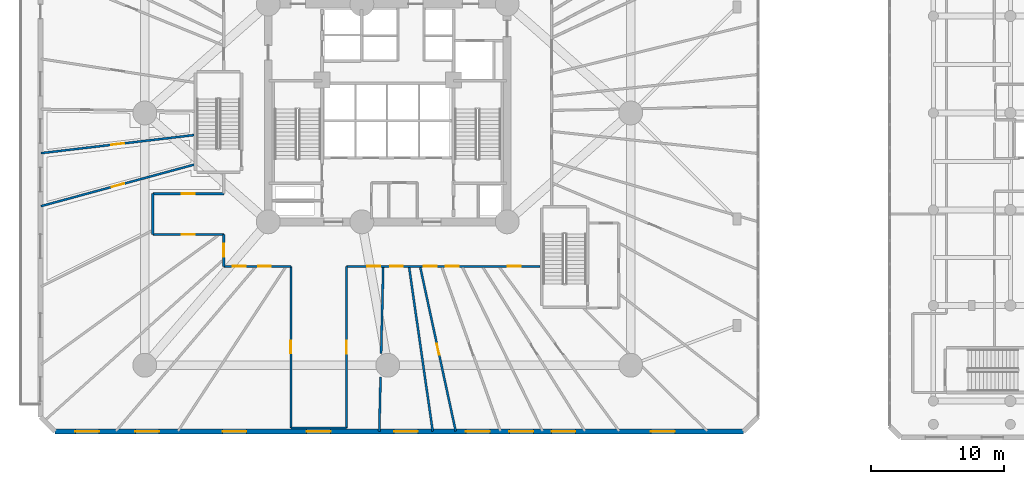
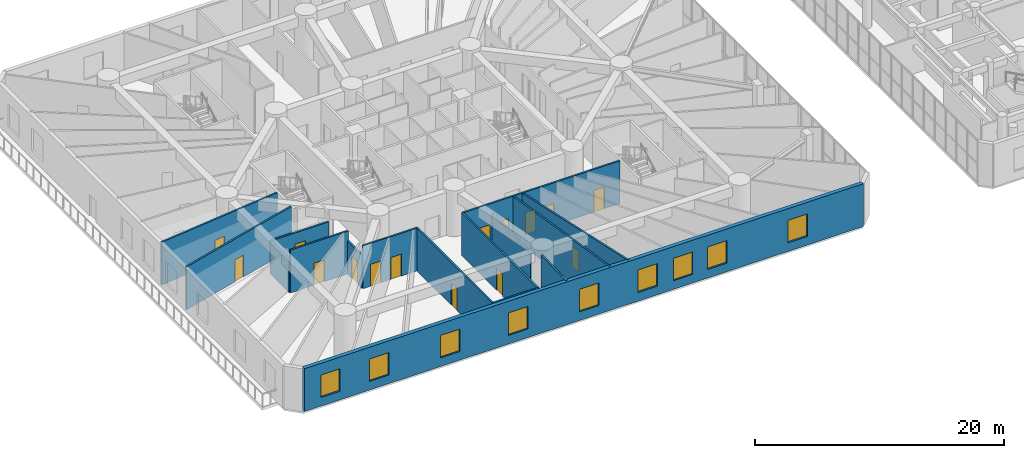
# One storey, part 13 of 26: 16 walls, 15 doors, 9 windows, 24 openings.
"""IFC4 building model written with IfcOpenShell, lengths in metres."""

from ifc_helpers import new_model, si_unit, direction, frame, frame_2d, origin, origin_with_axes, place, context, subcontext, project, spatial, rectangle, extrude, source, transform, mapped, material, layer, layer_set, type_object, element, fill, save


model = new_model("IFC4")

# Units and contexts
model_context = context("Model", 3, precision=1e-05, world=origin(), true_north=direction((0.0, 1.0)))
body_context = subcontext(model_context, "Body", "Model", "MODEL_VIEW")
ifc_project = project(units=[si_unit("LENGTHUNIT", "METRE"), si_unit("AREAUNIT", "SQUARE_METRE"), si_unit("VOLUMEUNIT", "CUBIC_METRE"), si_unit("PLANEANGLEUNIT", "RADIAN"), si_unit("MASSUNIT", "GRAM", prefix="KILO")], contexts=[model_context])

# Site, building, storey
site_placement = place(None, origin())
site = spatial("IfcSite", under=ifc_project, at=site_placement, CompositionType="ELEMENT")
building_placement = place(site_placement, origin())
building = spatial("IfcBuilding", under=site, at=building_placement, Name="Karkom Vertical University and Central Library", CompositionType="ELEMENT")
storey_placement = place(building_placement, frame((0.0, 0.0, 4.5)))
storey = spatial("IfcBuildingStorey", under=building, at=storey_placement, Name="L01", CompositionType="ELEMENT", Elevation=4.5)

# Wall, openings, windows
ifc_material_1 = material(Name="Brick masonry 360mm insulated cavity", Category="masonry")
ifc_layer_1 = layer(ifc_material_1, 0.360107421875)
ifc_layer_set_1 = layer_set([ifc_layer_1], Name="Brick masonry 360mm insulated cavity")
wall_type_1 = type_object("IfcWallType", Name="ENV-WL-BRK-360", PredefinedType="SOLIDWALL", material=ifc_layer_set_1)
wall_1_placement = place(storey_placement, frame((3.449951171875, 2.5, 0.0), z_axis=(0.0, 0.0, 1.0), x_axis=(1.0, 0.0, 0.0)))
wall_1 = element("IfcWall", 1, at=wall_1_placement, inside=storey, type_object=wall_type_1, Name="Level 01 POD Terracotta Brick Facade Wall 01", PredefinedType="SOLIDWALL", context=body_context, shape_type="SweptSolid", body=[
    extrude(rectangle(XDim=51.85009765625, YDim=0.360107421875, at=frame_2d((25.925048828125, 0.0))), origin(), (0.0, 0.0, 1.0), 4.199951171875),
])
opening_1_placement = place(wall_1_placement, frame((1.51611328125, 0.0, 0.85009765625)))
opening_1 = element("IfcOpeningElement", 2, at=opening_1_placement, cuts=wall_1, Name="Opening WN-01", PredefinedType="OPENING", context=body_context, shape_type="SweptSolid", body=[
    extrude(rectangle(XDim=1.800048828125, YDim=2.199951171875, at=frame_2d((0.89990234375, 1.10009765625))), frame((0.0, 0.18994140625, 0.0), z_axis=(0.0, -1.0, 0.0), x_axis=(1.0, 0.0, 0.0)), (0.0, 0.0, 1.0), 0.380126953125),
])
opening_2_placement = place(wall_1_placement, frame((6.037353515625, 0.0, 0.85009765625)))
opening_2 = element("IfcOpeningElement", 3, at=opening_2_placement, cuts=wall_1, Name="Opening WN-01", PredefinedType="OPENING", context=body_context, shape_type="SweptSolid", body=[
    extrude(rectangle(XDim=1.800048828125, YDim=2.199951171875, at=frame_2d((0.89990234375, 1.10009765625))), frame((0.0, 0.18994140625, 0.0), z_axis=(0.0, -1.0, 0.0), x_axis=(1.0, 0.0, 0.0)), (0.0, 0.0, 1.0), 0.380126953125),
])
opening_3_placement = place(wall_1_placement, frame((12.611328125, 0.0, 0.85009765625)))
opening_3 = element("IfcOpeningElement", 4, at=opening_3_placement, cuts=wall_1, Name="Opening WN-01", PredefinedType="OPENING", context=body_context, shape_type="SweptSolid", body=[
    extrude(rectangle(XDim=1.800048828125, YDim=2.199951171875, at=frame_2d((0.89990234375, 1.10009765625))), frame((0.0, 0.18994140625, 0.0), z_axis=(0.0, -1.0, 0.0), x_axis=(1.0, 0.0, 0.0)), (0.0, 0.0, 1.0), 0.380126953125),
])
opening_4_placement = place(wall_1_placement, frame((18.949951171875, 0.0, 0.85009765625)))
opening_4 = element("IfcOpeningElement", 5, at=opening_4_placement, cuts=wall_1, Name="Opening WN-01", PredefinedType="OPENING", context=body_context, shape_type="SweptSolid", body=[
    extrude(rectangle(XDim=1.800048828125, YDim=2.199951171875, at=frame_2d((0.89990234375, 1.10009765625))), frame((0.0, 0.18994140625, 0.0), z_axis=(0.0, -1.0, 0.0), x_axis=(1.0, 0.0, 0.0)), (0.0, 0.0, 1.0), 0.380126953125),
])
opening_5_placement = place(wall_1_placement, frame((25.523193359375, 0.0, 0.85009765625)))
opening_5 = element("IfcOpeningElement", 6, at=opening_5_placement, cuts=wall_1, Name="Opening WN-01", PredefinedType="OPENING", context=body_context, shape_type="SweptSolid", body=[
    extrude(rectangle(XDim=1.800048828125, YDim=2.199951171875, at=frame_2d((0.89990234375, 1.10009765625))), frame((0.0, 0.18994140625, 0.0), z_axis=(0.0, -1.0, 0.0), x_axis=(1.0, 0.0, 0.0)), (0.0, 0.0, 1.0), 0.380126953125),
])
opening_6_placement = place(wall_1_placement, frame((30.9453125, 0.0, 0.85009765625)))
opening_6 = element("IfcOpeningElement", 7, at=opening_6_placement, cuts=wall_1, Name="Opening WN-01", PredefinedType="OPENING", context=body_context, shape_type="SweptSolid", body=[
    extrude(rectangle(XDim=1.800048828125, YDim=2.199951171875, at=frame_2d((0.89990234375, 1.10009765625))), frame((0.0, 0.18994140625, 0.0), z_axis=(0.0, -1.0, 0.0), x_axis=(1.0, 0.0, 0.0)), (0.0, 0.0, 1.0), 0.380126953125),
])
opening_7_placement = place(wall_1_placement, frame((34.214111328125, 0.0, 0.85009765625)))
opening_7 = element("IfcOpeningElement", 8, at=opening_7_placement, cuts=wall_1, Name="Opening WN-01", PredefinedType="OPENING", context=body_context, shape_type="SweptSolid", body=[
    extrude(rectangle(XDim=1.800048828125, YDim=2.199951171875, at=frame_2d((0.89990234375, 1.10009765625))), frame((0.0, 0.18994140625, 0.0), z_axis=(0.0, -1.0, 0.0), x_axis=(1.0, 0.0, 0.0)), (0.0, 0.0, 1.0), 0.380126953125),
])
opening_8_placement = place(wall_1_placement, frame((37.393798828125, 0.0, 0.85009765625)))
opening_8 = element("IfcOpeningElement", 9, at=opening_8_placement, cuts=wall_1, Name="Opening WN-01", PredefinedType="OPENING", context=body_context, shape_type="SweptSolid", body=[
    extrude(rectangle(XDim=1.800048828125, YDim=2.199951171875, at=frame_2d((0.89990234375, 1.10009765625))), frame((0.0, 0.18994140625, 0.0), z_axis=(0.0, -1.0, 0.0), x_axis=(1.0, 0.0, 0.0)), (0.0, 0.0, 1.0), 0.380126953125),
])
opening_9_placement = place(wall_1_placement, frame((44.87060546875, 0.0, 0.85009765625)))
opening_9 = element("IfcOpeningElement", 10, at=opening_9_placement, cuts=wall_1, Name="Opening WN-01", PredefinedType="OPENING", context=body_context, shape_type="SweptSolid", body=[
    extrude(rectangle(XDim=1.800048828125, YDim=2.199951171875, at=frame_2d((0.89990234375, 1.10009765625))), frame((0.0, 0.18994140625, 0.0), z_axis=(0.0, -1.0, 0.0), x_axis=(1.0, 0.0, 0.0)), (0.0, 0.0, 1.0), 0.380126953125),
])
ifc_material_2 = material(Name="Aluminium thermal-break frame with solar-control IGU", Category="aluminium")
window_type = type_object("IfcWindowType", Name="ENV-WIN-WN-01", PartitioningType="SINGLE_PANEL", PredefinedType="WINDOW", material=ifc_material_2)
shared_shape_1 = source(origin_with_axes(), body_context, "Body", "SweptSolid", [
    extrude(rectangle(XDim=1.800048828125, YDim=2.199951171875, at=frame_2d((0.89990234375, 1.10009765625))), frame((0.0, 0.030029296875, 0.0), z_axis=(0.0, -1.0, 0.0), x_axis=(1.0, 0.0, 0.0)), (0.0, 0.0, 1.0), 0.06005859375),
])
window_1_placement = place(opening_1_placement, origin())
window_1 = element("IfcWindow", 11, at=window_1_placement, inside=storey, type_object=window_type, Name="Level 01 POD Punched Window 01", OverallHeight=2.199951171875, OverallWidth=1.800048828125, PartitioningType="SINGLE_PANEL", PredefinedType="WINDOW", context=body_context, shape_type="MappedRepresentation", body=[
    mapped(shared_shape_1, transform((0.0, 0.0, 0.0), scale=1.0)),
])
fill(opening_1, window_1)
window_2_placement = place(opening_2_placement, origin())
window_2 = element("IfcWindow", 12, at=window_2_placement, inside=storey, type_object=window_type, Name="Level 01 POD Punched Window 02", OverallHeight=2.199951171875, OverallWidth=1.800048828125, PartitioningType="SINGLE_PANEL", PredefinedType="WINDOW", context=body_context, shape_type="MappedRepresentation", body=[
    mapped(shared_shape_1, transform((0.0, 0.0, 0.0), scale=1.0)),
])
fill(opening_2, window_2)
window_3_placement = place(opening_3_placement, origin())
window_3 = element("IfcWindow", 13, at=window_3_placement, inside=storey, type_object=window_type, Name="Level 01 POD Punched Window 03", OverallHeight=2.199951171875, OverallWidth=1.800048828125, PartitioningType="SINGLE_PANEL", PredefinedType="WINDOW", context=body_context, shape_type="MappedRepresentation", body=[
    mapped(shared_shape_1, transform((0.0, 0.0, 0.0), scale=1.0)),
])
fill(opening_3, window_3)
window_4_placement = place(opening_4_placement, origin())
window_4 = element("IfcWindow", 14, at=window_4_placement, inside=storey, type_object=window_type, Name="Level 01 POD Punched Window 04", OverallHeight=2.199951171875, OverallWidth=1.800048828125, PartitioningType="SINGLE_PANEL", PredefinedType="WINDOW", context=body_context, shape_type="MappedRepresentation", body=[
    mapped(shared_shape_1, transform((0.0, 0.0, 0.0), scale=1.0)),
])
fill(opening_4, window_4)
window_5_placement = place(opening_5_placement, origin())
window_5 = element("IfcWindow", 15, at=window_5_placement, inside=storey, type_object=window_type, Name="Level 01 POD Punched Window 05", OverallHeight=2.199951171875, OverallWidth=1.800048828125, PartitioningType="SINGLE_PANEL", PredefinedType="WINDOW", context=body_context, shape_type="MappedRepresentation", body=[
    mapped(shared_shape_1, transform((0.0, 0.0, 0.0), scale=1.0)),
])
fill(opening_5, window_5)
window_6_placement = place(opening_6_placement, origin())
window_6 = element("IfcWindow", 16, at=window_6_placement, inside=storey, type_object=window_type, Name="Level 01 POD Punched Window 06", OverallHeight=2.199951171875, OverallWidth=1.800048828125, PartitioningType="SINGLE_PANEL", PredefinedType="WINDOW", context=body_context, shape_type="MappedRepresentation", body=[
    mapped(shared_shape_1, transform((0.0, 0.0, 0.0), scale=1.0)),
])
fill(opening_6, window_6)
window_7_placement = place(opening_7_placement, origin())
window_7 = element("IfcWindow", 17, at=window_7_placement, inside=storey, type_object=window_type, Name="Level 01 POD Punched Window 07", OverallHeight=2.199951171875, OverallWidth=1.800048828125, PartitioningType="SINGLE_PANEL", PredefinedType="WINDOW", context=body_context, shape_type="MappedRepresentation", body=[
    mapped(shared_shape_1, transform((0.0, 0.0, 0.0), scale=1.0)),
])
fill(opening_7, window_7)
window_8_placement = place(opening_8_placement, origin())
window_8 = element("IfcWindow", 18, at=window_8_placement, inside=storey, type_object=window_type, Name="Level 01 POD Punched Window 08", OverallHeight=2.199951171875, OverallWidth=1.800048828125, PartitioningType="SINGLE_PANEL", PredefinedType="WINDOW", context=body_context, shape_type="MappedRepresentation", body=[
    mapped(shared_shape_1, transform((0.0, 0.0, 0.0), scale=1.0)),
])
fill(opening_8, window_8)
window_9_placement = place(opening_9_placement, origin())
window_9 = element("IfcWindow", 19, at=window_9_placement, inside=storey, type_object=window_type, Name="Level 01 POD Punched Window 09", OverallHeight=2.199951171875, OverallWidth=1.800048828125, PartitioningType="SINGLE_PANEL", PredefinedType="WINDOW", context=body_context, shape_type="MappedRepresentation", body=[
    mapped(shared_shape_1, transform((0.0, 0.0, 0.0), scale=1.0)),
])
fill(opening_9, window_9)

# Wall, openings, doors
ifc_material_3 = material(Name="Insulated metal-stud drywall 160mm", Category="gypsum")
ifc_layer_2 = layer(ifc_material_3, 0.159912109375)
ifc_layer_set_2 = layer_set([ifc_layer_2], Name="Insulated metal-stud drywall 160mm")
wall_type_2 = type_object("IfcWallType", Name="INT-WL-COR-160", PredefinedType="PARTITIONING", material=ifc_layer_set_2)
wall_2_placement = place(storey_placement, frame((39.988037109375, 14.949951171875, 0.0), z_axis=(0.0, 0.0, 1.0), x_axis=(-1.0, 0.0, 0.0)))
wall_2 = element("IfcWall", 20, at=wall_2_placement, inside=storey, type_object=wall_type_2, Name="Level 01 Interior Partition Wall Level 01-PDCW-CW-010", PredefinedType="PARTITIONING", context=body_context, shape_type="SweptSolid", body=[
    extrude(rectangle(XDim=14.588134765625, YDim=0.159912109375, at=frame_2d((7.2939453125, 0.0))), origin(), (0.0, 0.0, 1.0), 4.199951171875),
])
opening_10_placement = place(wall_2_placement, frame((10.340087890625, 0.0, 0.0)))
opening_10 = element("IfcOpeningElement", 21, at=opening_10_placement, cuts=wall_2, Name="Opening FD-RM2", PredefinedType="OPENING", context=body_context, shape_type="SweptSolid", body=[
    extrude(rectangle(XDim=0.9599609375, YDim=2.14990234375, at=frame_2d((0.47998046875, 1.074951171875))), frame((0.0, 0.08984375, 0.0), z_axis=(0.0, -1.0, 0.0), x_axis=(1.0, 0.0, 0.0)), (0.0, 0.0, 1.0), 0.179931640625),
])
opening_11_placement = place(wall_2_placement, frame((7.80810546875, 0.0, 0.0)))
opening_11 = element("IfcOpeningElement", 22, at=opening_11_placement, cuts=wall_2, Name="Opening FD-RM2", PredefinedType="OPENING", context=body_context, shape_type="SweptSolid", body=[
    extrude(rectangle(XDim=0.9599609375, YDim=2.14990234375, at=frame_2d((0.47998046875, 1.074951171875))), frame((0.0, 0.08984375, 0.0), z_axis=(0.0, -1.0, 0.0), x_axis=(1.0, 0.0, 0.0)), (0.0, 0.0, 1.0), 0.179931640625),
])
opening_12_placement = place(wall_2_placement, frame((6.14501953125, 0.0, 0.0)))
opening_12 = element("IfcOpeningElement", 23, at=opening_12_placement, cuts=wall_2, Name="Opening FD-RM2", PredefinedType="OPENING", context=body_context, shape_type="SweptSolid", body=[
    extrude(rectangle(XDim=0.9599609375, YDim=2.14990234375, at=frame_2d((0.47998046875, 1.074951171875))), frame((0.0, 0.08984375, 0.0), z_axis=(0.0, -1.0, 0.0), x_axis=(1.0, 0.0, 0.0)), (0.0, 0.0, 1.0), 0.179931640625),
])
opening_13_placement = place(wall_2_placement, frame((1.48193359375, 0.0, 0.0)))
opening_13 = element("IfcOpeningElement", 24, at=opening_13_placement, cuts=wall_2, Name="Opening FD-RM2", PredefinedType="OPENING", context=body_context, shape_type="SweptSolid", body=[
    extrude(rectangle(XDim=0.9599609375, YDim=2.14990234375, at=frame_2d((0.47998046875, 1.074951171875))), frame((0.0, 0.08984375, 0.0), z_axis=(0.0, -1.0, 0.0), x_axis=(1.0, 0.0, 0.0)), (0.0, 0.0, 1.0), 0.179931640625),
])
opening_14_placement = place(wall_2_placement, frame((12.070068359375, 0.0, 0.0)))
opening_14 = element("IfcOpeningElement", 25, at=opening_14_placement, cuts=wall_2, Name="Opening FD-RM2", PredefinedType="OPENING", context=body_context, shape_type="SweptSolid", body=[
    extrude(rectangle(XDim=0.9599609375, YDim=2.14990234375, at=frame_2d((0.47998046875, 1.074951171875))), frame((0.0, 0.08984375, 0.0), z_axis=(0.0, -1.0, 0.0), x_axis=(1.0, 0.0, 0.0)), (0.0, 0.0, 1.0), 0.179931640625),
])
ifc_material_4 = material(Name="Fire-rated oak veneer door", Category="wood")
door_type_1 = type_object("IfcDoorType", Name="INT-DR-FRM2", OperationType="NOTDEFINED", PredefinedType="DOOR", material=ifc_material_4)
shared_shape_2 = source(origin_with_axes(), body_context, "Body", "SweptSolid", [
    extrude(rectangle(XDim=0.9599609375, YDim=2.14990234375, at=frame_2d((0.47998046875, 1.074951171875))), frame((0.0, 0.02490234375, 0.0), z_axis=(0.0, -1.0, 0.0), x_axis=(1.0, 0.0, 0.0)), (0.0, 0.0, 1.0), 0.050048828125),
])
door_1_placement = place(opening_10_placement, origin())
door_1 = element("IfcDoor", 26, at=door_1_placement, inside=storey, type_object=door_type_1, Name="Level 01 Room Entry Door 809", OperationType="SINGLE_SWING_RIGHT", OverallHeight=2.14990234375, OverallWidth=0.9599609375, PredefinedType="DOOR", context=body_context, shape_type="MappedRepresentation", body=[
    mapped(shared_shape_2, transform((0.0, 0.0, 0.0), scale=1.0)),
])
fill(opening_10, door_1)
door_2_placement = place(opening_11_placement, origin())
door_2 = element("IfcDoor", 27, at=door_2_placement, inside=storey, type_object=door_type_1, Name="Level 01 Room Entry Door 810", OperationType="SINGLE_SWING_LEFT", OverallHeight=2.14990234375, OverallWidth=0.9599609375, PredefinedType="DOOR", context=body_context, shape_type="MappedRepresentation", body=[
    mapped(shared_shape_2, transform((0.0, 0.0, 0.0), scale=1.0)),
])
fill(opening_11, door_2)
door_3_placement = place(opening_12_placement, origin())
door_3 = element("IfcDoor", 28, at=door_3_placement, inside=storey, type_object=door_type_1, Name="Level 01 Room Entry Door 811", OperationType="SINGLE_SWING_RIGHT", OverallHeight=2.14990234375, OverallWidth=0.9599609375, PredefinedType="DOOR", context=body_context, shape_type="MappedRepresentation", body=[
    mapped(shared_shape_2, transform((0.0, 0.0, 0.0), scale=1.0)),
])
fill(opening_12, door_3)
door_4_placement = place(opening_13_placement, origin())
door_4 = element("IfcDoor", 29, at=door_4_placement, inside=storey, type_object=door_type_1, Name="Level 01 Room Entry Door 813", OperationType="SINGLE_SWING_RIGHT", OverallHeight=2.14990234375, OverallWidth=0.9599609375, PredefinedType="DOOR", context=body_context, shape_type="MappedRepresentation", body=[
    mapped(shared_shape_2, transform((0.0, 0.0, 0.0), scale=1.0)),
])
fill(opening_13, door_4)
door_5_placement = place(opening_14_placement, origin())
door_5 = element("IfcDoor", 30, at=door_5_placement, inside=storey, type_object=door_type_1, Name="Level 01 Room Entry Door 814", OperationType="SINGLE_SWING_LEFT", OverallHeight=2.14990234375, OverallWidth=0.9599609375, PredefinedType="DOOR", context=body_context, shape_type="MappedRepresentation", body=[
    mapped(shared_shape_2, transform((0.0, 0.0, 0.0), scale=1.0)),
])
fill(opening_14, door_5)

# Wall, opening, door
wall_3_placement = place(storey_placement, frame((30.95361328125, 14.867919921875, 0.0), z_axis=(0.0, 0.0, 1.0), x_axis=(0.211300840562, -0.977421073426, 0.0)))
wall_3 = element("IfcWall", 31, at=wall_3_placement, inside=storey, type_object=wall_type_2, Name="Level 01 Interior Partition Wall Level 01-PODW-11-12-1", PredefinedType="PARTITIONING", context=body_context, shape_type="SweptSolid", body=[
    extrude(rectangle(XDim=12.62646484375, YDim=0.159912109375, at=frame_2d((6.313232421875, 0.0))), origin(), (0.0, 0.0, 1.0), 4.199951171875),
])
opening_15_placement = place(wall_3_placement, frame((5.88330078125, 0.0, 0.0)))
opening_15 = element("IfcOpeningElement", 32, at=opening_15_placement, cuts=wall_3, Name="Opening FD-BTH2", PredefinedType="OPENING", context=body_context, shape_type="SweptSolid", body=[
    extrude(rectangle(XDim=0.860107421875, YDim=2.0400390625, at=frame_2d((0.43017578125, 1.02001953125))), frame((0.0, 0.08984375, 0.0), z_axis=(0.0, -1.0, 0.0), x_axis=(1.0, 0.0, 0.0)), (0.0, 0.0, 1.0), 0.179931640625),
])
ifc_material_5 = material(Name="Fire-rated moisture-resistant oak door", Category="wood")
door_type_2 = type_object("IfcDoorType", Name="INT-DR-FBTH2", OperationType="NOTDEFINED", PredefinedType="DOOR", material=ifc_material_5)
shared_shape_3 = source(origin_with_axes(), body_context, "Body", "SweptSolid", [
    extrude(rectangle(XDim=0.860107421875, YDim=2.0400390625, at=frame_2d((0.43017578125, 1.02001953125))), frame((0.0, 0.02490234375, 0.0), z_axis=(0.0, -1.0, 0.0), x_axis=(1.0, 0.0, 0.0)), (0.0, 0.0, 1.0), 0.050048828125),
])
door_6_placement = place(opening_15_placement, origin())
door_6 = element("IfcDoor", 33, at=door_6_placement, inside=storey, type_object=door_type_2, Name="Level 01 Lecture Classroom B Entry Door", OperationType="SINGLE_SWING_LEFT", OverallHeight=2.0400390625, OverallWidth=0.860107421875, PredefinedType="DOOR", context=body_context, shape_type="MappedRepresentation", body=[
    mapped(shared_shape_3, transform((0.0, 0.0, 0.0), scale=1.0)),
])
fill(opening_15, door_6)

# Wall
wall_4_placement = place(storey_placement, frame((30.113037109375, 14.867919921875, 0.0), z_axis=(0.0, 0.0, 1.0), x_axis=(0.142419040013, -0.989806454334, 0.0)))
element("IfcWall", 34, at=wall_4_placement, inside=storey, type_object=wall_type_2, Name="Level 01 Interior Partition Wall Level 01-PODW-10-11-1", PredefinedType="PARTITIONING", context=body_context, shape_type="SweptSolid", body=[
    extrude(rectangle(XDim=12.469482421875, YDim=0.159912109375, at=frame_2d((6.23486328125, 0.0))), origin(), (0.0, 0.0, 1.0), 4.199951171875),
])

# Wall, opening, door
wall_5_placement = place(storey_placement, frame((25.39990234375, 14.949951171875, 0.0), z_axis=(0.0, 0.0, 1.0), x_axis=(0.0, -1.0, 0.0)))
wall_5 = element("IfcWall", 35, at=wall_5_placement, inside=storey, type_object=wall_type_2, Name="Level 01 Interior Partition Wall Level 01-PDCW-CW-011", PredefinedType="PARTITIONING", context=body_context, shape_type="SweptSolid", body=[
    extrude(rectangle(XDim=12.169921875, YDim=0.159912109375, at=frame_2d((6.0849609375, 0.0))), origin(), (0.0, 0.0, 1.0), 4.199951171875),
])
opening_16_placement = place(wall_5_placement, frame((5.610107421875, 0.0, 0.0)))
opening_16 = element("IfcOpeningElement", 36, at=opening_16_placement, cuts=wall_5, Name="Opening FD-RM2", PredefinedType="OPENING", context=body_context, shape_type="SweptSolid", body=[
    extrude(rectangle(XDim=0.9599609375, YDim=2.14990234375, at=frame_2d((0.47998046875, 1.074951171875))), frame((0.0, 0.08984375, 0.0), z_axis=(0.0, -1.0, 0.0), x_axis=(1.0, 0.0, 0.0)), (0.0, 0.0, 1.0), 0.179931640625),
])
door_7_placement = place(opening_16_placement, origin())
door_7 = element("IfcDoor", 37, at=door_7_placement, inside=storey, type_object=door_type_1, Name="Level 01 Room Entry Door 808", OperationType="SINGLE_SWING_LEFT", OverallHeight=2.14990234375, OverallWidth=0.9599609375, PredefinedType="DOOR", context=body_context, shape_type="MappedRepresentation", body=[
    mapped(shared_shape_2, transform((0.0, 0.0, 0.0), scale=1.0)),
])
fill(opening_16, door_7)

wall_6_placement = place(storey_placement, frame((21.199951171875, 2.780029296875, 0.0), z_axis=(0.0, 0.0, 1.0), x_axis=(0.0, 1.0, 0.0)))
wall_6 = element("IfcWall", 38, at=wall_6_placement, inside=storey, type_object=wall_type_2, Name="Level 01 Interior Partition Wall Level 01-PDCW-CW-013", PredefinedType="PARTITIONING", context=body_context, shape_type="SweptSolid", body=[
    extrude(rectangle(XDim=12.169921875, YDim=0.159912109375, at=frame_2d((6.0849609375, 0.0))), origin(), (0.0, 0.0, 1.0), 4.199951171875),
])
opening_17_placement = place(wall_6_placement, frame((5.610107421875, 0.0, 0.0)))
opening_17 = element("IfcOpeningElement", 39, at=opening_17_placement, cuts=wall_6, Name="Opening FD-RM2", PredefinedType="OPENING", context=body_context, shape_type="SweptSolid", body=[
    extrude(rectangle(XDim=0.9599609375, YDim=2.14990234375, at=frame_2d((0.47998046875, 1.074951171875))), frame((0.0, 0.08984375, 0.0), z_axis=(0.0, -1.0, 0.0), x_axis=(1.0, 0.0, 0.0)), (0.0, 0.0, 1.0), 0.179931640625),
])
door_8_placement = place(opening_17_placement, origin())
door_8 = element("IfcDoor", 40, at=door_8_placement, inside=storey, type_object=door_type_1, Name="Level 01 Room Entry Door 807", OperationType="SINGLE_SWING_RIGHT", OverallHeight=2.14990234375, OverallWidth=0.9599609375, PredefinedType="DOOR", context=body_context, shape_type="MappedRepresentation", body=[
    mapped(shared_shape_2, transform((0.0, 0.0, 0.0), scale=1.0)),
])
fill(opening_17, door_8)

wall_7_placement = place(storey_placement, frame((13.927490234375, 22.6123046875, 0.0), z_axis=(0.0, 0.0, 1.0), x_axis=(-0.965170368773, -0.261622168868, 0.0)))
wall_7 = element("IfcWall", 41, at=wall_7_placement, inside=storey, type_object=wall_type_2, Name="Level 01 Interior Partition Wall Level 01-PODW-02-03-1", PredefinedType="PARTITIONING", context=body_context, shape_type="SweptSolid", body=[
    extrude(rectangle(XDim=11.967041015625, YDim=0.159912109375, at=frame_2d((5.9833984375, 0.0))), origin(), (0.0, 0.0, 1.0), 4.199951171875),
])
opening_18_placement = place(wall_7_placement, frame((5.4833984375, 0.0, 0.0)))
opening_18 = element("IfcOpeningElement", 42, at=opening_18_placement, cuts=wall_7, Name="Opening FD-RM2", PredefinedType="OPENING", context=body_context, shape_type="SweptSolid", body=[
    extrude(rectangle(XDim=0.9599609375, YDim=2.14990234375, at=frame_2d((0.47998046875, 1.074951171875))), frame((0.0, 0.08984375, 0.0), z_axis=(0.0, -1.0, 0.0), x_axis=(1.0, 0.0, 0.0)), (0.0, 0.0, 1.0), 0.179931640625),
])
door_9_placement = place(opening_18_placement, origin())
door_9 = element("IfcDoor", 43, at=door_9_placement, inside=storey, type_object=door_type_1, Name="Level 01 Room Entry Door 801", OperationType="SINGLE_SWING_RIGHT", OverallHeight=2.14990234375, OverallWidth=0.9599609375, PredefinedType="DOOR", context=body_context, shape_type="MappedRepresentation", body=[
    mapped(shared_shape_2, transform((0.0, 0.0, 0.0), scale=1.0)),
])
fill(opening_18, door_9)

wall_8_placement = place(storey_placement, frame((13.9130859375, 24.83642578125, 0.0), z_axis=(0.0, 0.0, 1.0), x_axis=(-0.993088930129, -0.117364291226, 0.0)))
wall_8 = element("IfcWall", 44, at=wall_8_placement, inside=storey, type_object=wall_type_2, Name="Level 01 Interior Partition Wall Level 01-PODW-01-02-1", PredefinedType="PARTITIONING", context=body_context, shape_type="SweptSolid", body=[
    extrude(rectangle(XDim=11.617919921875, YDim=0.159912109375, at=frame_2d((5.80908203125, 0.0))), origin(), (0.0, 0.0, 1.0), 4.199951171875),
])
opening_19_placement = place(wall_8_placement, frame((5.31640625, 0.0, 0.0)))
opening_19 = element("IfcOpeningElement", 45, at=opening_19_placement, cuts=wall_8, Name="Opening FD-RM2", PredefinedType="OPENING", context=body_context, shape_type="SweptSolid", body=[
    extrude(rectangle(XDim=0.9599609375, YDim=2.14990234375, at=frame_2d((0.47998046875, 1.074951171875))), frame((0.0, 0.08984375, 0.0), z_axis=(0.0, -1.0, 0.0), x_axis=(1.0, 0.0, 0.0)), (0.0, 0.0, 1.0), 0.179931640625),
])
door_10_placement = place(opening_19_placement, origin())
door_10 = element("IfcDoor", 46, at=door_10_placement, inside=storey, type_object=door_type_1, Name="Level 01 Room Entry Door 800", OperationType="SINGLE_SWING_LEFT", OverallHeight=2.14990234375, OverallWidth=0.9599609375, PredefinedType="DOOR", context=body_context, shape_type="MappedRepresentation", body=[
    mapped(shared_shape_2, transform((0.0, 0.0, 0.0), scale=1.0)),
])
fill(opening_19, door_10)

# Wall
wall_9_placement = place(storey_placement, frame((28.1591796875, 14.867919921875, 0.0), z_axis=(0.0, 0.0, 1.0), x_axis=(-0.024112983848, -0.999709239734, 0.0)))
element("IfcWall", 47, at=wall_9_placement, inside=storey, type_object=wall_type_2, Name="Level 01 Interior Partition Wall Level 01-PODW-09-10-1", PredefinedType="PARTITIONING", context=body_context, shape_type="SweptSolid", body=[
    extrude(rectangle(XDim=6.47998046875, YDim=0.159912109375, at=frame_2d((3.239990234375, 0.0))), origin(), (0.0, 0.0, 1.0), 3.25),
])

# Wall, opening, door
wall_10_placement = place(storey_placement, frame((16.14990234375, 17.35009765625, 0.0), z_axis=(0.0, 0.0, 1.0), x_axis=(-1.0, 0.0, 0.0)))
wall_10 = element("IfcWall", 48, at=wall_10_placement, inside=storey, type_object=wall_type_2, Name="Level 01 Interior Partition Wall Level 01-PDCW-CW-016", PredefinedType="PARTITIONING", context=body_context, shape_type="SweptSolid", body=[
    extrude(rectangle(XDim=5.349853515625, YDim=0.159912109375, at=frame_2d((2.6748046875, 0.0))), origin(), (0.0, 0.0, 1.0), 4.199951171875),
])
opening_20_placement = place(wall_10_placement, frame((2.199951171875, 0.0, 0.0)))
opening_20 = element("IfcOpeningElement", 49, at=opening_20_placement, cuts=wall_10, Name="Opening FD-RM2", PredefinedType="OPENING", context=body_context, shape_type="SweptSolid", body=[
    extrude(rectangle(XDim=0.9599609375, YDim=2.14990234375, at=frame_2d((0.47998046875, 1.074951171875))), frame((0.0, 0.08984375, 0.0), z_axis=(0.0, -1.0, 0.0), x_axis=(1.0, 0.0, 0.0)), (0.0, 0.0, 1.0), 0.179931640625),
])
door_11_placement = place(opening_20_placement, origin())
door_11 = element("IfcDoor", 50, at=door_11_placement, inside=storey, type_object=door_type_1, Name="Level 01 Room Entry Door 803", OperationType="SINGLE_SWING_RIGHT", OverallHeight=2.14990234375, OverallWidth=0.9599609375, PredefinedType="DOOR", context=body_context, shape_type="MappedRepresentation", body=[
    mapped(shared_shape_2, transform((0.0, 0.0, 0.0), scale=1.0)),
])
fill(opening_20, door_11)

wall_11_placement = place(storey_placement, frame((10.800048828125, 20.419921875, 0.0), z_axis=(0.0, 0.0, 1.0), x_axis=(1.0, 0.0, 0.0)))
wall_11 = element("IfcWall", 51, at=wall_11_placement, inside=storey, type_object=wall_type_2, Name="Level 01 Interior Partition Wall Level 01-PDCW-CW-018", PredefinedType="PARTITIONING", context=body_context, shape_type="SweptSolid", body=[
    extrude(rectangle(XDim=5.349853515625, YDim=0.159912109375, at=frame_2d((2.6748046875, 0.0))), origin(), (0.0, 0.0, 1.0), 3.25),
])
opening_21_placement = place(wall_11_placement, frame((2.199951171875, 0.0, 0.0)))
opening_21 = element("IfcOpeningElement", 52, at=opening_21_placement, cuts=wall_11, Name="Opening FD-RM2", PredefinedType="OPENING", context=body_context, shape_type="SweptSolid", body=[
    extrude(rectangle(XDim=0.9599609375, YDim=2.14990234375, at=frame_2d((0.47998046875, 1.074951171875))), frame((0.0, 0.08984375, 0.0), z_axis=(0.0, -1.0, 0.0), x_axis=(1.0, 0.0, 0.0)), (0.0, 0.0, 1.0), 0.179931640625),
])
door_12_placement = place(opening_21_placement, origin())
door_12 = element("IfcDoor", 53, at=door_12_placement, inside=storey, type_object=door_type_1, Name="Level 01 Room Entry Door 802", OperationType="SINGLE_SWING_LEFT", OverallHeight=2.14990234375, OverallWidth=0.9599609375, PredefinedType="DOOR", context=body_context, shape_type="MappedRepresentation", body=[
    mapped(shared_shape_2, transform((0.0, 0.0, 0.0), scale=1.0)),
])
fill(opening_21, door_12)

# Wall, openings, doors
wall_12_placement = place(storey_placement, frame((21.199951171875, 14.949951171875, 0.0), z_axis=(0.0, 0.0, 1.0), x_axis=(-1.0, 0.0, 0.0)))
wall_12 = element("IfcWall", 54, at=wall_12_placement, inside=storey, type_object=wall_type_2, Name="Level 01 Interior Partition Wall Level 01-PDCW-CW-014", PredefinedType="PARTITIONING", context=body_context, shape_type="SweptSolid", body=[
    extrude(rectangle(XDim=5.050048828125, YDim=0.159912109375, at=frame_2d((2.52490234375, 0.0))), origin(), (0.0, 0.0, 1.0), 4.199951171875),
])
opening_22_placement = place(wall_12_placement, frame((3.3974609375, 0.0, 0.0)))
opening_22 = element("IfcOpeningElement", 55, at=opening_22_placement, cuts=wall_12, Name="Opening FD-RM2", PredefinedType="OPENING", context=body_context, shape_type="SweptSolid", body=[
    extrude(rectangle(XDim=0.9599609375, YDim=2.14990234375, at=frame_2d((0.47998046875, 1.074951171875))), frame((0.0, 0.08984375, 0.0), z_axis=(0.0, -1.0, 0.0), x_axis=(1.0, 0.0, 0.0)), (0.0, 0.0, 1.0), 0.179931640625),
])
opening_23_placement = place(wall_12_placement, frame((1.510009765625, 0.0, 0.0)))
opening_23 = element("IfcOpeningElement", 56, at=opening_23_placement, cuts=wall_12, Name="Opening FD-RM2", PredefinedType="OPENING", context=body_context, shape_type="SweptSolid", body=[
    extrude(rectangle(XDim=0.9599609375, YDim=2.14990234375, at=frame_2d((0.47998046875, 1.074951171875))), frame((0.0, 0.08984375, 0.0), z_axis=(0.0, -1.0, 0.0), x_axis=(1.0, 0.0, 0.0)), (0.0, 0.0, 1.0), 0.179931640625),
])
door_13_placement = place(opening_22_placement, origin())
door_13 = element("IfcDoor", 57, at=door_13_placement, inside=storey, type_object=door_type_1, Name="Level 01 Room Entry Door 805", OperationType="SINGLE_SWING_RIGHT", OverallHeight=2.14990234375, OverallWidth=0.9599609375, PredefinedType="DOOR", context=body_context, shape_type="MappedRepresentation", body=[
    mapped(shared_shape_2, transform((0.0, 0.0, 0.0), scale=1.0)),
])
fill(opening_22, door_13)
door_14_placement = place(opening_23_placement, origin())
door_14 = element("IfcDoor", 58, at=door_14_placement, inside=storey, type_object=door_type_1, Name="Level 01 Room Entry Door 806", OperationType="SINGLE_SWING_LEFT", OverallHeight=2.14990234375, OverallWidth=0.9599609375, PredefinedType="DOOR", context=body_context, shape_type="MappedRepresentation", body=[
    mapped(shared_shape_2, transform((0.0, 0.0, 0.0), scale=1.0)),
])
fill(opening_23, door_14)

# Walls
wall_13_placement = place(storey_placement, frame((25.39990234375, 2.780029296875, 0.0), z_axis=(0.0, 0.0, 1.0), x_axis=(-1.0, 0.0, 0.0)))
element("IfcWall", 59, at=wall_13_placement, inside=storey, type_object=wall_type_2, Name="Level 01 Interior Partition Wall Level 01-PDCW-CW-012", PredefinedType="PARTITIONING", context=body_context, shape_type="SweptSolid", body=[
    extrude(rectangle(XDim=4.199951171875, YDim=0.159912109375, at=frame_2d((2.10009765625, 0.0))), origin(), (0.0, 0.0, 1.0), 4.199951171875),
])
wall_14_placement = place(storey_placement, frame((27.9599609375, 6.610107421875, 0.0), z_axis=(0.0, 0.0, 1.0), x_axis=(-0.024077163183, -0.999710103086, 0.0)))
element("IfcWall", 60, at=wall_14_placement, inside=storey, type_object=wall_type_2, Name="Level 01 Interior Partition Wall Level 01-PODW-09-10-2", PredefinedType="PARTITIONING", context=body_context, shape_type="SweptSolid", body=[
    extrude(rectangle(XDim=4.08642578125, YDim=0.159912109375, at=frame_2d((2.043212890625, 0.0))), origin(), (0.0, 0.0, 1.0), 4.199951171875),
])
wall_15_placement = place(storey_placement, frame((10.800048828125, 17.35009765625, 0.0), z_axis=(0.0, 0.0, 1.0), x_axis=(0.0, 1.0, 0.0)))
element("IfcWall", 61, at=wall_15_placement, inside=storey, type_object=wall_type_2, Name="Level 01 Interior Partition Wall Level 01-PDCW-CW-017", PredefinedType="PARTITIONING", context=body_context, shape_type="SweptSolid", body=[
    extrude(rectangle(XDim=3.06982421875, YDim=0.159912109375, at=frame_2d((1.534912109375, 0.0))), origin(), (0.0, 0.0, 1.0), 3.25),
])

# Wall, opening, door
wall_16_placement = place(storey_placement, frame((16.14990234375, 14.949951171875, 0.0), z_axis=(0.0, 0.0, 1.0), x_axis=(0.0, 1.0, 0.0)))
wall_16 = element("IfcWall", 62, at=wall_16_placement, inside=storey, type_object=wall_type_2, Name="Level 01 Interior Partition Wall Level 01-PDCW-CW-015", PredefinedType="PARTITIONING", context=body_context, shape_type="SweptSolid", body=[
    extrude(rectangle(XDim=2.400146484375, YDim=0.159912109375, at=frame_2d((1.2001953125, 0.0))), origin(), (0.0, 0.0, 1.0), 3.25),
])
opening_24_placement = place(wall_16_placement, frame((0.72509765625, 0.0, 0.0)))
opening_24 = element("IfcOpeningElement", 63, at=opening_24_placement, cuts=wall_16, Name="Opening FD-RM2", PredefinedType="OPENING", context=body_context, shape_type="SweptSolid", body=[
    extrude(rectangle(XDim=0.9599609375, YDim=2.14990234375, at=frame_2d((0.47998046875, 1.074951171875))), frame((0.0, 0.08984375, 0.0), z_axis=(0.0, -1.0, 0.0), x_axis=(1.0, 0.0, 0.0)), (0.0, 0.0, 1.0), 0.179931640625),
])
door_15_placement = place(opening_24_placement, origin())
door_15 = element("IfcDoor", 64, at=door_15_placement, inside=storey, type_object=door_type_1, Name="Level 01 Room Entry Door 804", OperationType="SINGLE_SWING_LEFT", OverallHeight=2.14990234375, OverallWidth=0.9599609375, PredefinedType="DOOR", context=body_context, shape_type="MappedRepresentation", body=[
    mapped(shared_shape_2, transform((0.0, 0.0, 0.0), scale=1.0)),
])
fill(opening_24, door_15)

save(model, "model.ifc")
